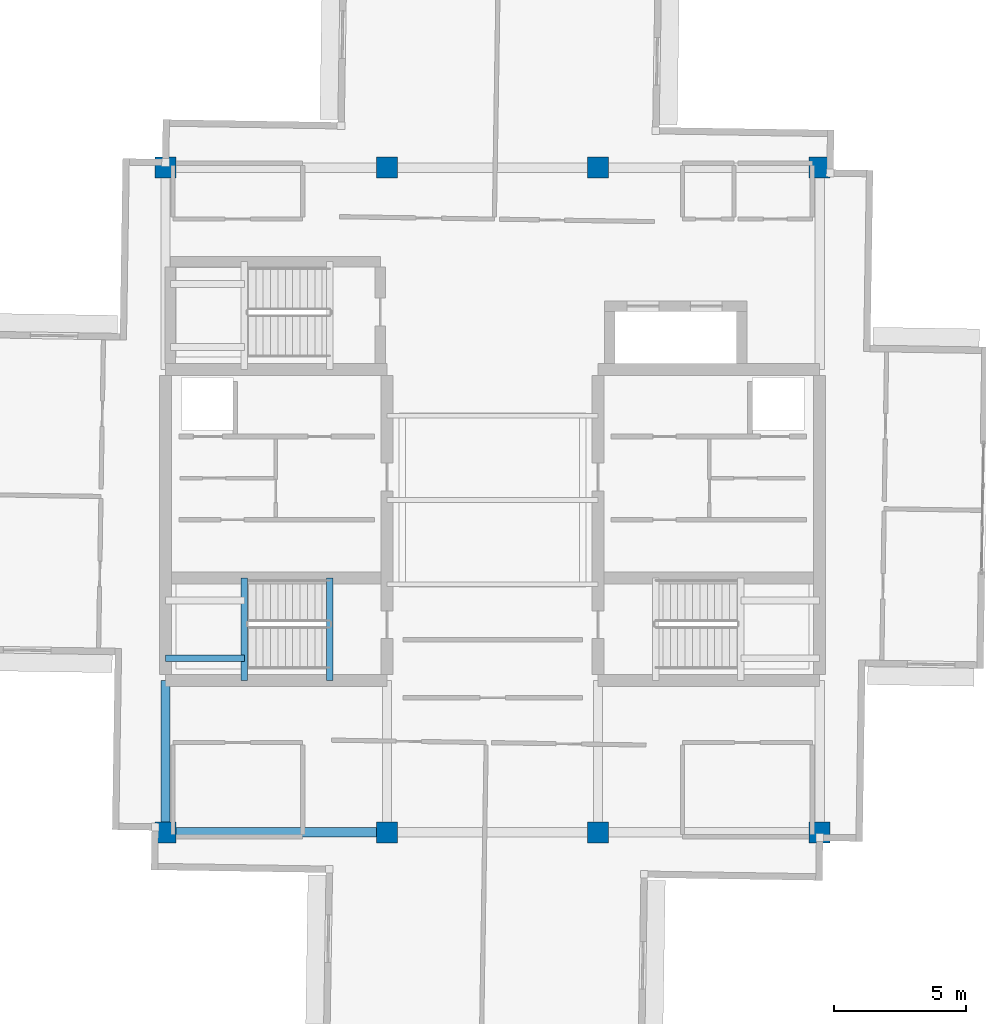
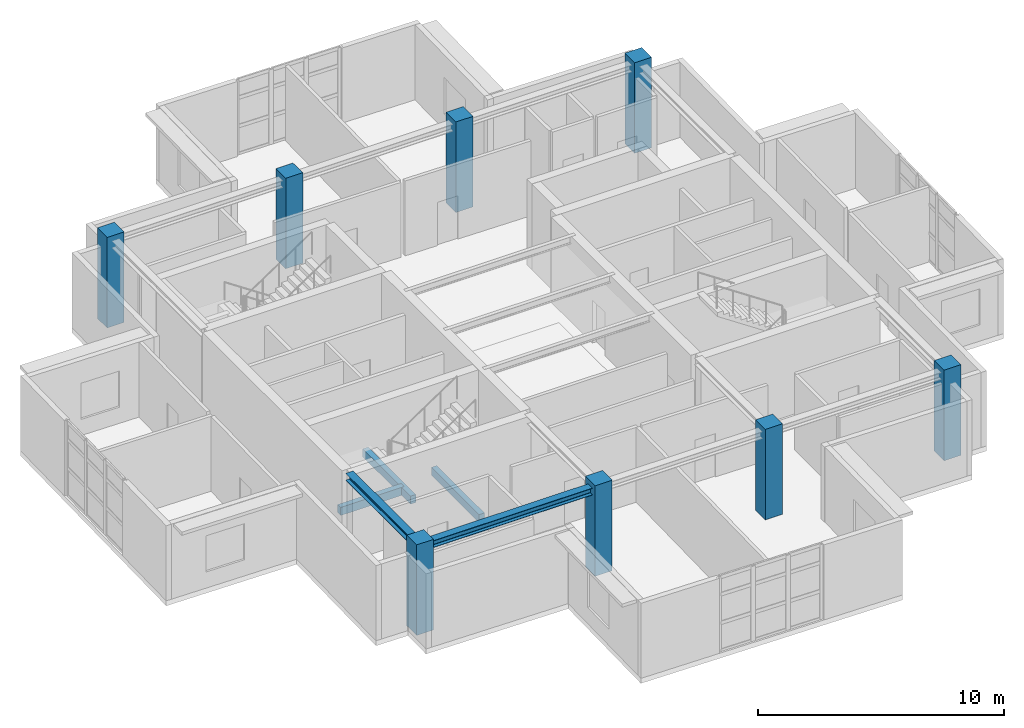
# One storey, part 1 of 15: 8 columns, 5 beams.
"""IFC4 building model written with IfcOpenShell, lengths in metres."""

from ifc_helpers import new_model, si_unit, direction, frame, origin, origin_2d, place, context, subcontext, project, spatial, rectangle, i_section, extrude, material, material_profile, profile_set, type_object, element, save


model = new_model("IFC4")

# Units and contexts
model_context = context("Model", 3, precision=1e-05, world=origin(), true_north=direction((0.0, 1.0)))
body_context = subcontext(model_context, "Body", "Model", "MODEL_VIEW")
ifc_project = project(units=[si_unit("LENGTHUNIT", "METRE"), si_unit("AREAUNIT", "SQUARE_METRE"), si_unit("VOLUMEUNIT", "CUBIC_METRE"), si_unit("PLANEANGLEUNIT", "RADIAN"), si_unit("MASSUNIT", "GRAM", prefix="KILO")], contexts=[model_context])

# Site, building, storey
site_placement = place(None, origin())
site = spatial("IfcSite", under=ifc_project, at=site_placement, CompositionType="ELEMENT")
building_placement = place(site_placement, origin())
building = spatial("IfcBuilding", under=site, at=building_placement, Name="Qingluan Cross Belvedere", CompositionType="ELEMENT")
storey_placement = place(building_placement, frame((0.0, 0.0, 312.89990234375)))
storey = spatial("IfcBuildingStorey", under=building, at=storey_placement, Name="L77", CompositionType="ELEMENT", Elevation=312.89990234375)

# Columns
ifc_material_1 = material(Name="Concrete C50", Category="concrete")
ifc_material_profile_1 = material_profile(ifc_material_1, rectangle(XDim=0.800048828125, YDim=0.800048828125, at=origin_2d()), Name="RC800x800")
ifc_profile_set_1 = profile_set([ifc_material_profile_1], Name="Concrete C50")
column_type = type_object("IfcColumnType", Name="Column_RC800x800", PredefinedType="COLUMN", material=ifc_profile_set_1)
for number, where, z_axis, x_axis, name in (
    (1, (-12.39990234375, -12.60009765625, 0.0), (0.0, 0.0, 1.0), (1.0, 0.0, 0.0), "Hub column L77-HC1"),
    (2, (12.39990234375, -12.60009765625, 0.0), (0.0, 0.0, 1.0), (1.0, 0.0, 0.0), "Hub column L77-HC2"),
    (3, (12.39990234375, 12.60009765625, 0.0), (0.0, 0.0, 1.0), (1.0, 0.0, 0.0), "Hub column L77-HC3"),
    (4, (-12.39990234375, 12.60009765625, 0.0), (0.0, 0.0, 1.0), (1.0, 0.0, 0.0), "Hub column L77-HC4"),
    (5, (-4.0, -12.60009765625, 0.0), (0.0, 0.0, 1.0), (1.0, 0.0, 0.0), "Hub column L77-HC5"),
    (6, (4.0, -12.60009765625, 0.0), (0.0, 0.0, 1.0), (1.0, 0.0, 0.0), "Hub column L77-HC6"),
    (7, (4.0, 12.60009765625, 0.0), (0.0, 0.0, 1.0), (1.0, 0.0, 0.0), "Hub column L77-HC7"),
    (8, (-4.0, 12.60009765625, 0.0), (0.0, 0.0, 1.0), (1.0, 0.0, 0.0), "Hub column L77-HC8"),
):
    element("IfcColumn", number, at=place(storey_placement, frame(where, z_axis=z_axis, x_axis=x_axis)), inside=storey, type_object=column_type, Name=name, PredefinedType="COLUMN", context=body_context, shape_type="SweptSolid", body=[
        extrude(rectangle(XDim=0.800048828125, YDim=0.800048828125, at=origin_2d()), origin(), (0.0, 0.0, 1.0), 4.5),
    ])

# Beams
ifc_material_2 = material(Name="Concrete C45", Category="concrete")
ifc_material_profile_2 = material_profile(ifc_material_2, rectangle(XDim=0.25, YDim=0.39990234375, at=origin_2d()), Name="RC250x400")
ifc_profile_set_2 = profile_set([ifc_material_profile_2], Name="Concrete C45")
beam_type_1 = type_object("IfcBeamType", Name="RC_Lintel_RC250x400", PredefinedType="LINTEL", material=ifc_profile_set_2)
for number, where, z_axis, x_axis, name in (
    (9, (-6.179931640625, -6.85009765625, -0.199951171875), (0.0, 1.0, 0.0), (-1.0, 0.0, 0.0), "Stair ST1 landing beam L77"),
    (10, (-9.409912109375, -6.85009765625, 1.85009765625), (0.0, 1.0, 0.0), (-1.0, 0.0, 0.0), "Stair ST1 beam A L77"),
):
    element("IfcBeam", number, at=place(storey_placement, frame(where, z_axis=z_axis, x_axis=x_axis)), inside=storey, type_object=beam_type_1, Name=name, PredefinedType="LINTEL", context=body_context, shape_type="SweptSolid", body=[
        extrude(rectangle(XDim=0.25, YDim=0.39990234375, at=origin_2d()), origin(), (0.0, 0.0, 1.0), 3.89013671875),
    ])
beam_1_placement = place(storey_placement, frame((-12.39990234375, -6.0, 1.85009765625), z_axis=(1.0, 0.0, 0.0), x_axis=(0.0, 1.0, 0.0)))
element("IfcBeam", 11, at=beam_1_placement, inside=storey, type_object=beam_type_1, Name="Stair ST1 beam B L77", PredefinedType="LINTEL", context=body_context, shape_type="SweptSolid", body=[
    extrude(rectangle(XDim=0.25, YDim=0.39990234375, at=origin_2d()), origin(), (0.0, 0.0, 1.0), 2.989990234375),
])
ifc_material_3 = material(Name="Steel Q420GJB", Category="steel")
ifc_material_profile_3 = material_profile(ifc_material_3, i_section(OverallWidth=0.35009765625, OverallDepth=0.35009765625, WebThickness=0.011962890625, FlangeThickness=0.01904296875, FilletRadius=0.02001953125, at=origin_2d()), Name="HW350x350x12x19")
ifc_profile_set_3 = profile_set([ifc_material_profile_3], Name="Steel Q420GJB")
beam_type_2 = type_object("IfcBeamType", Name="Steel_Girder_HW350x350x12x19", PredefinedType="USERDEFINED", material=ifc_profile_set_3)
beam_2_placement = place(storey_placement, frame((-12.39990234375, -12.60009765625, 4.0751953125), z_axis=(1.0, 0.0, 0.0), x_axis=(0.0, 1.0, 0.0)))
element("IfcBeam", 12, at=beam_2_placement, inside=storey, type_object=beam_type_2, Name="Hub girder L77-HG-S1", ObjectType="GIRDER", PredefinedType="USERDEFINED", context=body_context, shape_type="SweptSolid", body=[
    extrude(i_section(OverallWidth=0.35009765625, OverallDepth=0.35009765625, WebThickness=0.011962890625, FlangeThickness=0.01904296875, FilletRadius=0.02001953125, at=origin_2d()), origin(), (0.0, 0.0, 1.0), 8.39990234375),
])
beam_3_placement = place(storey_placement, frame((-12.39990234375, -12.60009765625, 4.0751953125), z_axis=(0.0, 1.0, 0.0), x_axis=(-1.0, 0.0, 0.0)))
element("IfcBeam", 13, at=beam_3_placement, inside=storey, type_object=beam_type_2, Name="Hub girder L77-HG-W1", ObjectType="GIRDER", PredefinedType="USERDEFINED", context=body_context, shape_type="SweptSolid", body=[
    extrude(i_section(OverallWidth=0.35009765625, OverallDepth=0.35009765625, WebThickness=0.011962890625, FlangeThickness=0.01904296875, FilletRadius=0.02001953125, at=origin_2d()), origin(), (0.0, 0.0, 1.0), 5.75),
])

save(model, "model.ifc")
